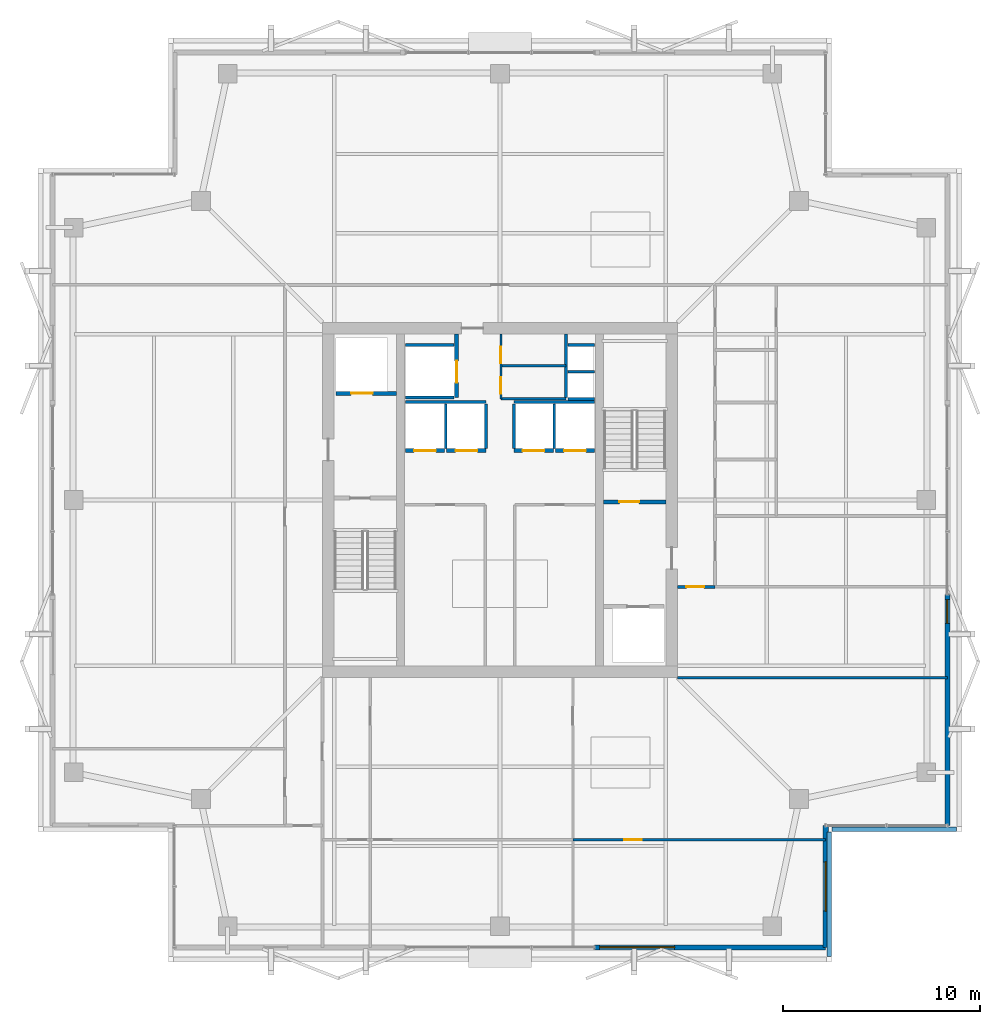
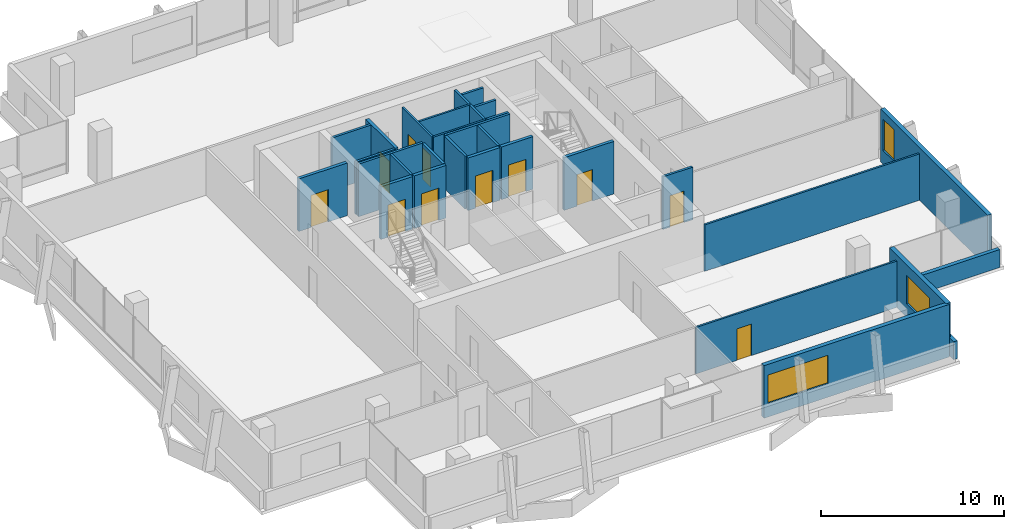
# One storey, part 22 of 26: 30 walls, 11 doors, 3 windows, 14 openings.
"""IFC4 building model written with IfcOpenShell, lengths in metres."""

from ifc_helpers import new_model, si_unit, direction, frame, frame_2d, origin, place, context, subcontext, project, spatial, rectangle, extrude, material, layer, layer_set, type_object, element, fill, save


model = new_model("IFC4")

# Units and contexts
model_context = context("Model", 3, precision=1e-05, world=origin(), true_north=direction((0.0, 1.0)))
body_context = subcontext(model_context, "Body", "Model", "MODEL_VIEW")
ifc_project = project(units=[si_unit("LENGTHUNIT", "METRE"), si_unit("AREAUNIT", "SQUARE_METRE"), si_unit("VOLUMEUNIT", "CUBIC_METRE"), si_unit("PLANEANGLEUNIT", "RADIAN"), si_unit("MASSUNIT", "GRAM", prefix="KILO")], contexts=[model_context])

# Site, building, storey
site_placement = place(None, origin())
site = spatial("IfcSite", under=ifc_project, at=site_placement, CompositionType="ELEMENT")
building_placement = place(site_placement, origin())
building = spatial("IfcBuilding", under=site, at=building_placement, Name="Belovzor Exchange Tower", CompositionType="ELEMENT")
storey_placement = place(building_placement, frame((0.0, 0.0, 295.5)))
storey = spatial("IfcBuildingStorey", under=building, at=storey_placement, Name="L73", CompositionType="ELEMENT", Elevation=295.5)

# Wall, opening, door
ifc_material_1 = material(Name="Acoustic Plasterboard on Galvanised Studs", Category="gypsum")
ifc_layer_1 = layer(ifc_material_1, 0.1201171875)
ifc_layer_set_1 = layer_set([ifc_layer_1], Name="Acoustic Plasterboard on Galvanised Studs")
wall_type_1 = type_object("IfcWallType", Name="Acoustic Double-Stud Partition Wall 120", PredefinedType="PARTITIONING", material=ifc_layer_set_1)
wall_1_placement = place(storey_placement, frame((32.498046875, 11.5791015625, 0.0), z_axis=(0.0, 0.0, 1.0), x_axis=(1.0, 0.0, 0.0)))
wall_1 = element("IfcWall", 1, at=wall_1_placement, inside=storey, type_object=wall_type_1, Name="W-P120 Partition Wall W-L73-SHDIV-2", PredefinedType="PARTITIONING", context=body_context, shape_type="SweptSolid", body=[
    extrude(rectangle(XDim=12.802001953125, YDim=0.1201171875, at=frame_2d((6.40087890625, 0.0))), origin(), (0.0, 0.0, 1.0), 3.094970703125),
])
opening_1_placement = place(wall_1_placement, frame((2.595947265625, 0.0, 0.0)))
opening_1 = element("IfcOpeningElement", 2, at=opening_1_placement, cuts=wall_1, Name="Opening D-INT-090", PredefinedType="OPENING", context=body_context, shape_type="SweptSolid", body=[
    extrude(rectangle(XDim=0.89990234375, YDim=2.10009765625, at=frame_2d((0.449951171875, 1.050048828125))), frame((0.0, 0.070068359375, 0.0), z_axis=(0.0, -1.0, 0.0), x_axis=(1.0, 0.0, 0.0)), (0.0, 0.0, 1.0), 0.14013671875),
])
ifc_material_2 = material(Name="Veneered Hardwood Acoustic Leaf", Category="wood")
door_type_1 = type_object("IfcDoorType", Name="Trading Suite Acoustic Single Door 900x2100", OperationType="NOTDEFINED", PredefinedType="DOOR", material=ifc_material_2)
door_1_placement = place(opening_1_placement, origin())
door_1 = element("IfcDoor", 3, at=door_1_placement, inside=storey, type_object=door_type_1, Name="D-INT-090 Trading Suite Acoustic Single Door 900x2100", OperationType="SINGLE_SWING_LEFT", OverallHeight=2.10009765625, OverallWidth=0.89990234375, PredefinedType="DOOR", context=body_context, shape_type="SweptSolid", body=[
    extrude(rectangle(XDim=0.89990234375, YDim=2.10009765625, at=frame_2d((0.449951171875, 1.050048828125))), frame((0.0, 0.02490234375, 0.0), z_axis=(0.0, -1.0, 0.0), x_axis=(1.0, 0.0, 0.0)), (0.0, 0.0, 1.0), 0.050048828125),
])
fill(opening_1, door_1)

# Wall
wall_2_placement = place(storey_placement, frame((37.800048828125, 19.800048828125, 0.0), z_axis=(0.0, 0.0, 1.0), x_axis=(1.0, 0.0, 0.0)))
element("IfcWall", 4, at=wall_2_placement, inside=storey, type_object=wall_type_1, Name="W-P120 Partition Wall W-L73-ESS", PredefinedType="PARTITIONING", context=body_context, shape_type="SweptSolid", body=[
    extrude(rectangle(XDim=13.669921875, YDim=0.1201171875, at=frame_2d((6.8349609375, 0.0))), origin(), (0.0, 0.0, 1.0), 3.094970703125),
])

# Wall, openings, doors
ifc_material_3 = material(Name="Fire-Rated Plasterboard on Galvanised Studs", Category="gypsum")
ifc_layer_2 = layer(ifc_material_3, 0.1201171875)
ifc_layer_set_2 = layer_set([ifc_layer_2], Name="Fire-Rated Plasterboard on Galvanised Studs")
wall_type_2 = type_object("IfcWallType", Name="Fire-Rated Double-Stud Partition Wall 120", PredefinedType="PARTITIONING", material=ifc_layer_set_2)
wall_3_placement = place(storey_placement, frame((28.85009765625, 33.925048828125, 0.0), z_axis=(0.0, 0.0, 1.0), x_axis=(0.0, 1.0, 0.0)))
wall_3 = element("IfcWall", 5, at=wall_3_placement, inside=storey, type_object=wall_type_2, Name="W-P120F Partition Wall W-CRV-L73-W", PredefinedType="PARTITIONING", context=body_context, shape_type="SweptSolid", body=[
    extrude(rectangle(XDim=3.27490234375, YDim=0.1201171875, at=frame_2d((1.637451171875, 0.0))), origin(), (0.0, 0.0, 1.0), 3.510009765625),
])
opening_2_placement = place(wall_3_placement, frame((0.25, 0.0, 0.0)))
opening_2 = element("IfcOpeningElement", 6, at=opening_2_placement, cuts=wall_3, Name="Opening D-FD60-085", PredefinedType="OPENING", context=body_context, shape_type="SweptSolid", body=[
    extrude(rectangle(XDim=0.85009765625, YDim=2.10009765625, at=frame_2d((0.425048828125, 1.050048828125))), frame((0.0, 0.070068359375, 0.0), z_axis=(0.0, -1.0, 0.0), x_axis=(1.0, 0.0, 0.0)), (0.0, 0.0, 1.0), 0.14013671875),
])
opening_3_placement = place(wall_3_placement, frame((1.794921875, 0.0, 0.0)))
opening_3 = element("IfcOpeningElement", 7, at=opening_3_placement, cuts=wall_3, Name="Opening D-FD60-085", PredefinedType="OPENING", context=body_context, shape_type="SweptSolid", body=[
    extrude(rectangle(XDim=0.85009765625, YDim=2.10009765625, at=frame_2d((0.425048828125, 1.050048828125))), frame((0.0, 0.070068359375, 0.0), z_axis=(0.0, -1.0, 0.0), x_axis=(1.0, 0.0, 0.0)), (0.0, 0.0, 1.0), 0.14013671875),
])
ifc_material_4 = material(Name="Fire-Rated Steel Access Leaf", Category="steel")
door_type_2 = type_object("IfcDoorType", Name="Riser & Meter Closet Access Fire Door 850x2100", OperationType="NOTDEFINED", PredefinedType="DOOR", material=ifc_material_4)
door_2_placement = place(opening_2_placement, origin())
door_2 = element("IfcDoor", 8, at=door_2_placement, inside=storey, type_object=door_type_2, Name="D-FD60-085 Riser & Meter Closet Access Fire Door 850x2100", OperationType="SINGLE_SWING_LEFT", OverallHeight=2.10009765625, OverallWidth=0.85009765625, PredefinedType="DOOR", context=body_context, shape_type="SweptSolid", body=[
    extrude(rectangle(XDim=0.85009765625, YDim=2.10009765625, at=frame_2d((0.425048828125, 1.050048828125))), frame((0.0, 0.02490234375, 0.0), z_axis=(0.0, -1.0, 0.0), x_axis=(1.0, 0.0, 0.0)), (0.0, 0.0, 1.0), 0.050048828125),
])
fill(opening_2, door_2)
door_3_placement = place(opening_3_placement, origin())
door_3 = element("IfcDoor", 9, at=door_3_placement, inside=storey, type_object=door_type_2, Name="D-FD60-085 Riser & Meter Closet Access Fire Door 850x2100", OperationType="SINGLE_SWING_RIGHT", OverallHeight=2.10009765625, OverallWidth=0.85009765625, PredefinedType="DOOR", context=body_context, shape_type="SweptSolid", body=[
    extrude(rectangle(XDim=0.85009765625, YDim=2.10009765625, at=frame_2d((0.425048828125, 1.050048828125))), frame((0.0, 0.02490234375, 0.0), z_axis=(0.0, -1.0, 0.0), x_axis=(1.0, 0.0, 0.0)), (0.0, 0.0, 1.0), 0.050048828125),
])
fill(opening_3, door_3)

# Walls
for number, where, z_axis, x_axis, name in (
    (10, (28.85009765625, 35.60009765625, 0.0), (0.0, 0.0, 1.0), (1.0, 0.0, 0.0), "W-P120F Partition Wall W-CRV-L73-M"),
    (11, (28.85009765625, 33.925048828125, 0.0), (0.0, 0.0, 1.0), (1.0, 0.0, 0.0), "W-P120F Partition Wall W-CRV-L73-S"),
):
    element("IfcWall", number, at=place(storey_placement, frame(where, z_axis=z_axis, x_axis=x_axis)), inside=storey, type_object=wall_type_2, Name=name, PredefinedType="PARTITIONING", context=body_context, shape_type="SweptSolid", body=[
        extrude(rectangle(XDim=3.2998046875, YDim=0.1201171875, at=frame_2d((1.64990234375, 0.0))), origin(), (0.0, 0.0, 1.0), 3.510009765625),
    ])

# Wall, opening, door
ifc_material_5 = material(Name="Fire-Rated Gypsum Block and Mineral Wool", Category="gypsum")
ifc_layer_3 = layer(ifc_material_5, 0.14990234375)
ifc_layer_set_3 = layer_set([ifc_layer_3], Name="Fire-Rated Gypsum Block and Mineral Wool")
wall_type_3 = type_object("IfcWallType", Name="Fire-Rated Gypsum Block Corridor Wall 150", PredefinedType="PARTITIONING", material=ifc_layer_set_3)
wall_4_placement = place(storey_placement, frame((37.800048828125, 24.39990234375, 0.0), z_axis=(0.0, 0.0, 1.0), x_axis=(1.0, 0.0, 0.0)))
wall_4 = element("IfcWall", 12, at=wall_4_placement, inside=storey, type_object=wall_type_3, Name="W-P150 Partition Wall W-L73-CE-END", PredefinedType="PARTITIONING", context=body_context, shape_type="SweptSolid", body=[
    extrude(rectangle(XDim=1.89990234375, YDim=0.14990234375, at=frame_2d((0.949951171875, 0.0))), origin(), (0.0, 0.0, 1.0), 3.510009765625),
])
opening_4_placement = place(wall_4_placement, frame((0.449951171875, 0.0, 0.0)))
opening_4 = element("IfcOpeningElement", 13, at=opening_4_placement, cuts=wall_4, Name="Opening D-FD60-090", PredefinedType="OPENING", context=body_context, shape_type="SweptSolid", body=[
    extrude(rectangle(XDim=0.89990234375, YDim=2.10009765625, at=frame_2d((0.449951171875, 1.050048828125))), frame((0.0, 0.0849609375, 0.0), z_axis=(0.0, -1.0, 0.0), x_axis=(1.0, 0.0, 0.0)), (0.0, 0.0, 1.0), 0.169921875),
])
ifc_material_6 = material(Name="Acoustic Timber Fire Leaf", Category="wood")
door_type_3 = type_object("IfcDoorType", Name="Core Service & Restroom Fire Door 900x2100", OperationType="NOTDEFINED", PredefinedType="DOOR", material=ifc_material_6)
door_4_placement = place(opening_4_placement, origin())
door_4 = element("IfcDoor", 14, at=door_4_placement, inside=storey, type_object=door_type_3, Name="D-FD60-090 Core Service & Restroom Fire Door 900x2100", OperationType="SINGLE_SWING_LEFT", OverallHeight=2.10009765625, OverallWidth=0.89990234375, PredefinedType="DOOR", context=body_context, shape_type="SweptSolid", body=[
    extrude(rectangle(XDim=0.89990234375, YDim=2.10009765625, at=frame_2d((0.449951171875, 1.050048828125))), frame((0.0, 0.02490234375, 0.0), z_axis=(0.0, -1.0, 0.0), x_axis=(1.0, 0.0, 0.0)), (0.0, 0.0, 1.0), 0.050048828125),
])
fill(opening_4, door_4)

# Wall, opening, window
ifc_material_7 = material(Name="Precast concrete C40/50", Category="concrete")
ifc_layer_4 = layer(ifc_material_7, 0.280029296875)
ifc_layer_set_4 = layer_set([ifc_layer_4], Name="Precast concrete C40/50")
wall_type_4 = type_object("IfcWallType", Name="Precast Concrete Notched Corner Frame Wall 280", PredefinedType="SOLIDWALL", material=ifc_layer_set_4)
wall_5_placement = place(storey_placement, frame((45.300048828125, 12.300048828125, 0.0), z_axis=(0.0, 0.0, 1.0), x_axis=(0.0, -1.0, 0.0)))
wall_5 = element("IfcWall", 15, at=wall_5_placement, inside=storey, type_object=wall_type_4, Name="W-CRN280 Precast Concrete Notched Corner Frame Wall 280 L73", PredefinedType="SOLIDWALL", context=body_context, shape_type="SweptSolid", body=[
    extrude(rectangle(XDim=6.170166015625, YDim=0.280029296875, at=frame_2d((3.0849609375, 0.0))), origin(), (0.0, 0.0, 1.0), 3.510009765625),
])
opening_5_placement = place(wall_5_placement, frame((1.8349609375, 0.0, 0.89990234375)))
opening_5 = element("IfcOpeningElement", 16, at=opening_5_placement, cuts=wall_5, Name="Opening WN-CRN250", PredefinedType="OPENING", context=body_context, shape_type="SweptSolid", body=[
    extrude(rectangle(XDim=2.5, YDim=1.89990234375, at=frame_2d((1.25, 0.949951171875))), frame((0.0, 0.14990234375, 0.0), z_axis=(0.0, -1.0, 0.0), x_axis=(1.0, 0.0, 0.0)), (0.0, 0.0, 1.0), 0.300048828125),
])
ifc_material_8 = material(Name="Thermally Broken Aluminium and Triple Glazing", Category="aluminium")
window_type_1 = type_object("IfcWindowType", Name="Streamline Moderne Corner Wrap Ribbon Window 2500x1900", PartitioningType="SINGLE_PANEL", PredefinedType="WINDOW", material=ifc_material_8)
window_1_placement = place(opening_5_placement, origin())
window_1 = element("IfcWindow", 17, at=window_1_placement, inside=storey, type_object=window_type_1, Name="WN-CRN250 Streamline Moderne Corner Wrap Ribbon Window 2500x1900", OverallHeight=1.89990234375, OverallWidth=2.5, PartitioningType="SINGLE_PANEL", PredefinedType="WINDOW", context=body_context, shape_type="SweptSolid", body=[
    extrude(rectangle(XDim=2.5, YDim=1.89990234375, at=frame_2d((1.25, 0.949951171875))), frame((0.0, 0.030029296875, 0.0), z_axis=(0.0, -1.0, 0.0), x_axis=(1.0, 0.0, 0.0)), (0.0, 0.0, 1.0), 0.06005859375),
])
fill(opening_5, window_1)

ifc_material_9 = material(Name="Precast concrete C40/50", Category="concrete")
ifc_layer_5 = layer(ifc_material_9, 0.260009765625)
ifc_layer_set_5 = layer_set([ifc_layer_5], Name="Precast concrete C40/50")
wall_type_5 = type_object("IfcWallType", Name="Precast Concrete Perimeter Loggia Frame Wall 260", PredefinedType="SOLIDWALL", material=ifc_layer_set_5)
wall_6_placement = place(storey_placement, frame((45.300048828125, 6.1298828125, 0.0), z_axis=(0.0, 0.0, 1.0), x_axis=(-1.0, 0.0, 0.0)))
wall_6 = element("IfcWall", 18, at=wall_6_placement, inside=storey, type_object=wall_type_5, Name="W-EXT260 Precast Concrete Perimeter Loggia Frame Wall 260 L73", PredefinedType="SOLIDWALL", context=body_context, shape_type="SweptSolid", body=[
    extrude(rectangle(XDim=11.699951171875, YDim=0.260009765625, at=frame_2d((5.85009765625, 0.0))), origin(), (0.0, 0.0, 1.0), 3.510009765625),
])
opening_6_placement = place(wall_6_placement, frame((7.64990234375, 0.0, 0.89990234375)))
opening_6 = element("IfcOpeningElement", 19, at=opening_6_placement, cuts=wall_6, Name="Opening WN-RIB380", PredefinedType="OPENING", context=body_context, shape_type="SweptSolid", body=[
    extrude(rectangle(XDim=3.800048828125, YDim=1.89990234375, at=frame_2d((1.89990234375, 0.949951171875))), frame((0.0, 0.139892578125, 0.0), z_axis=(0.0, -1.0, 0.0), x_axis=(1.0, 0.0, 0.0)), (0.0, 0.0, 1.0), 0.280029296875),
])
ifc_material_10 = material(Name="Thermally Broken Aluminium and Triple Glazing", Category="aluminium")
window_type_2 = type_object("IfcWindowType", Name="Streamline Moderne Horizontal Ribbon Window 3800x1900", PartitioningType="SINGLE_PANEL", PredefinedType="WINDOW", material=ifc_material_10)
window_2_placement = place(opening_6_placement, origin())
window_2 = element("IfcWindow", 20, at=window_2_placement, inside=storey, type_object=window_type_2, Name="WN-RIB380 Streamline Moderne Horizontal Ribbon Window 3800x1900", OverallHeight=1.89990234375, OverallWidth=3.800048828125, PartitioningType="SINGLE_PANEL", PredefinedType="WINDOW", context=body_context, shape_type="SweptSolid", body=[
    extrude(rectangle(XDim=3.800048828125, YDim=1.89990234375, at=frame_2d((1.89990234375, 0.949951171875))), frame((0.0, 0.030029296875, 0.0), z_axis=(0.0, -1.0, 0.0), x_axis=(1.0, 0.0, 0.0)), (0.0, 0.0, 1.0), 0.06005859375),
])
fill(opening_6, window_2)

wall_7_placement = place(storey_placement, frame((51.469970703125, 24.0, 0.0), z_axis=(0.0, 0.0, 1.0), x_axis=(0.0, -1.0, 0.0)))
wall_7 = element("IfcWall", 21, at=wall_7_placement, inside=storey, type_object=wall_type_5, Name="W-EXT260 Precast Concrete Perimeter Loggia Frame Wall 260 L73", PredefinedType="SOLIDWALL", context=body_context, shape_type="SweptSolid", body=[
    extrude(rectangle(XDim=11.699951171875, YDim=0.260009765625, at=frame_2d((5.85009765625, 0.0))), origin(), (0.0, 0.0, 1.0), 3.510009765625),
])
opening_7_placement = place(wall_7_placement, frame((0.25, 0.0, 0.89990234375)))
opening_7 = element("IfcOpeningElement", 22, at=opening_7_placement, cuts=wall_7, Name="Opening WN-CRN120", PredefinedType="OPENING", context=body_context, shape_type="SweptSolid", body=[
    extrude(rectangle(XDim=1.199951171875, YDim=2.10009765625, at=frame_2d((0.60009765625, 1.050048828125))), frame((0.0, 0.139892578125, 0.0), z_axis=(0.0, -1.0, 0.0), x_axis=(1.0, 0.0, 0.0)), (0.0, 0.0, 1.0), 0.280029296875),
])
ifc_material_11 = material(Name="Thermally Broken Aluminium and Triple Glazing", Category="aluminium")
window_type_3 = type_object("IfcWindowType", Name="Streamline Notched Corner Window 1200x2100", PartitioningType="SINGLE_PANEL", PredefinedType="WINDOW", material=ifc_material_11)
window_3_placement = place(opening_7_placement, origin())
window_3 = element("IfcWindow", 23, at=window_3_placement, inside=storey, type_object=window_type_3, Name="WN-CRN120 Streamline Notched Corner Window 1200x2100", OverallHeight=2.10009765625, OverallWidth=1.199951171875, PartitioningType="SINGLE_PANEL", PredefinedType="WINDOW", context=body_context, shape_type="SweptSolid", body=[
    extrude(rectangle(XDim=1.199951171875, YDim=2.10009765625, at=frame_2d((0.60009765625, 1.050048828125))), frame((0.0, 0.030029296875, 0.0), z_axis=(0.0, -1.0, 0.0), x_axis=(1.0, 0.0, 0.0)), (0.0, 0.0, 1.0), 0.06005859375),
])
fill(opening_7, window_3)

# Walls
ifc_material_12 = material(Name="Precast concrete C40/50", Category="concrete")
ifc_layer_6 = layer(ifc_material_12, 0.239990234375)
ifc_layer_set_6 = layer_set([ifc_layer_6], Name="Precast concrete C40/50")
wall_type_6 = type_object("IfcWallType", Name="Precast Stone Setback Roof Parapet Wall 240", PredefinedType="PARAPET", material=ifc_layer_set_6)
for number, where, z_axis, x_axis, name in (
    (24, (45.47998046875, 5.655029296875, 0.0), (0.0, 0.0, 1.0), (0.0, 1.0, 0.0), "W-PAR240 Precast Stone Setback Roof Parapet Wall 240 L73"),
    (25, (45.614990234375, 12.1201171875, 0.0), (0.0, 0.0, 1.0), (1.0, 0.0, 0.0), "W-PAR240 Precast Stone Setback Roof Parapet Wall 240 L73"),
):
    element("IfcWall", number, at=place(storey_placement, frame(where, z_axis=z_axis, x_axis=x_axis)), inside=storey, type_object=wall_type_6, Name=name, PredefinedType="PARAPET", context=body_context, shape_type="SweptSolid", body=[
        extrude(rectangle(XDim=6.330078125, YDim=0.239990234375, at=frame_2d((3.1650390625, 0.0))), origin(), (0.0, 0.0, 1.0), 1.199951171875),
    ])
ifc_material_13 = material(Name="Concrete C50/60", Category="concrete")
ifc_layer_7 = layer(ifc_material_13, 0.14990234375)
ifc_layer_set_7 = layer_set([ifc_layer_7], Name="Concrete C50/60")
wall_type_7 = type_object("IfcWallType", Name="Reinforced Concrete Core Riser Shear Wall 150", PredefinedType="SHEAR", material=ifc_layer_set_7)
wall_8_placement = place(storey_placement, frame((32.14990234375, 34.0, 0.0), z_axis=(0.0, 0.0, 1.0), x_axis=(0.0, 1.0, 0.0)))
element("IfcWall", 26, at=wall_8_placement, inside=storey, type_object=wall_type_7, Name="W-C150S Core Shaft Wall W-RSR-L73-E", PredefinedType="SHEAR", context=body_context, shape_type="SweptSolid", body=[
    extrude(rectangle(XDim=3.199951171875, YDim=0.14990234375, at=frame_2d((1.60009765625, 0.0))), origin(), (0.0, 0.0, 1.0), 3.510009765625),
])
for number, where, z_axis, x_axis, name in (
    (27, (32.25, 33.925048828125, 0.0), (0.0, 0.0, 1.0), (1.0, 0.0, 0.0), "W-C150S Core Shaft Wall W-RSR-L73-S"),
    (28, (32.25, 35.300048828125, 0.0), (0.0, 0.0, 1.0), (1.0, 0.0, 0.0), "W-C150S Core Shaft Wall W-RSR-L73-M"),
):
    element("IfcWall", number, at=place(storey_placement, frame(where, z_axis=z_axis, x_axis=x_axis)), inside=storey, type_object=wall_type_7, Name=name, PredefinedType="SHEAR", context=body_context, shape_type="SweptSolid", body=[
        extrude(rectangle(XDim=1.330078125, YDim=0.14990234375, at=frame_2d((0.6650390625, 0.0))), origin(), (0.0, 0.0, 1.0), 3.510009765625),
    ])
for number, where, z_axis, x_axis, name in (
    (29, (24.0, 34.0, 0.0), (0.0, 0.0, 1.0), (1.0, 0.0, 0.0), "W-C150S Core Shaft Wall W-SH-L73-SL-01S"),
    (30, (24.0, 36.64990234375, 0.0), (0.0, 0.0, 1.0), (1.0, 0.0, 0.0), "W-C150S Core Shaft Wall W-SH-L73-SL-01N"),
):
    element("IfcWall", number, at=place(storey_placement, frame(where, z_axis=z_axis, x_axis=x_axis)), inside=storey, type_object=wall_type_7, Name=name, PredefinedType="SHEAR", context=body_context, shape_type="SweptSolid", body=[
        extrude(rectangle(XDim=2.47998046875, YDim=0.14990234375, at=frame_2d((1.239990234375, 0.0))), origin(), (0.0, 0.0, 1.0), 3.510009765625),
    ])
wall_9_placement = place(storey_placement, frame((32.25, 36.64990234375, 0.0), z_axis=(0.0, 0.0, 1.0), x_axis=(1.0, 0.0, 0.0)))
element("IfcWall", 31, at=wall_9_placement, inside=storey, type_object=wall_type_7, Name="W-C150S Core Shaft Wall W-RSR-L73-N", PredefinedType="SHEAR", context=body_context, shape_type="SweptSolid", body=[
    extrude(rectangle(XDim=1.330078125, YDim=0.14990234375, at=frame_2d((0.6650390625, 0.0))), origin(), (0.0, 0.0, 1.0), 3.510009765625),
])
for number, where, z_axis, x_axis, name in (
    (32, (24.02001953125, 33.760009765625, 0.0), (0.0, 0.0, 1.0), (1.0, 0.0, 0.0), "W-C150S Core Shaft Wall W-SHB-L73-PLH-NW"),
    (33, (29.5, 33.760009765625, 0.0), (0.0, 0.0, 1.0), (1.0, 0.0, 0.0), "W-C150S Core Shaft Wall W-SHB-L73-PLH-NE"),
):
    element("IfcWall", number, at=place(storey_placement, frame(where, z_axis=z_axis, x_axis=x_axis)), inside=storey, type_object=wall_type_7, Name=name, PredefinedType="SHEAR", context=body_context, shape_type="SweptSolid", body=[
        extrude(rectangle(XDim=4.080078125, YDim=0.14990234375, at=frame_2d((2.0400390625, 0.0))), origin(), (0.0, 0.0, 1.0), 3.510009765625),
    ])
for number, where, z_axis, x_axis, name in (
    (34, (26.050048828125, 31.419921875, 0.0), (0.0, 0.0, 1.0), (0.0, 1.0, 0.0), "W-C150S Core Shaft Wall W-SHD-L73-PLH-1"),
    (35, (28.10009765625, 31.419921875, 0.0), (0.0, 0.0, 1.0), (0.0, 1.0, 0.0), "W-C150S Core Shaft Wall W-SHD-L73-PLH-2"),
    (36, (29.5, 31.419921875, 0.0), (0.0, 0.0, 1.0), (0.0, 1.0, 0.0), "W-C150S Core Shaft Wall W-SHD-L73-PLH-3"),
    (37, (31.550048828125, 31.419921875, 0.0), (0.0, 0.0, 1.0), (0.0, 1.0, 0.0), "W-C150S Core Shaft Wall W-SHD-L73-PLH-4"),
):
    element("IfcWall", number, at=place(storey_placement, frame(where, z_axis=z_axis, x_axis=x_axis)), inside=storey, type_object=wall_type_7, Name=name, PredefinedType="SHEAR", context=body_context, shape_type="SweptSolid", body=[
        extrude(rectangle(XDim=2.239990234375, YDim=0.14990234375, at=frame_2d((1.1201171875, 0.0))), origin(), (0.0, 0.0, 1.0), 3.510009765625),
    ])

# Wall, opening, door
ifc_material_14 = material(Name="Concrete C50/60", Category="concrete")
ifc_layer_8 = layer(ifc_material_14, 0.199951171875)
ifc_layer_set_8 = layer_set([ifc_layer_8], Name="Concrete C50/60")
wall_type_8 = type_object("IfcWallType", Name="Reinforced Concrete Core Shaft Shear Wall 200", PredefinedType="SHEAR", material=ifc_layer_set_8)
wall_10_placement = place(storey_placement, frame((34.050048828125, 28.699951171875, 0.0), z_axis=(0.0, 0.0, 1.0), x_axis=(1.0, 0.0, 0.0)))
wall_10 = element("IfcWall", 38, at=wall_10_placement, inside=storey, type_object=wall_type_8, Name="W-C200S Core Shaft Wall W-CORE-L73-FFLE2", PredefinedType="SHEAR", context=body_context, shape_type="SweptSolid", body=[
    extrude(rectangle(XDim=3.14990234375, YDim=0.199951171875, at=frame_2d((1.574951171875, 0.0))), origin(), (0.0, 0.0, 1.0), 3.510009765625),
])
opening_8_placement = place(wall_10_placement, frame((0.800048828125, 0.0, 0.0)))
opening_8 = element("IfcOpeningElement", 39, at=opening_8_placement, cuts=wall_10, Name="Opening D-FD90-100", PredefinedType="OPENING", context=body_context, shape_type="SweptSolid", body=[
    extrude(rectangle(XDim=1.0, YDim=2.10009765625, at=frame_2d((0.5, 1.050048828125))), frame((0.0, 0.10986328125, 0.0), z_axis=(0.0, -1.0, 0.0), x_axis=(1.0, 0.0, 0.0)), (0.0, 0.0, 1.0), 0.219970703125),
])
ifc_material_15 = material(Name="Fire-Rated Galvanised Steel Leaf", Category="steel")
door_type_4 = type_object("IfcDoorType", Name="Protected Stairwell Single Fire Door 1000x2100", OperationType="NOTDEFINED", PredefinedType="DOOR", material=ifc_material_15)
door_5_placement = place(opening_8_placement, origin())
door_5 = element("IfcDoor", 40, at=door_5_placement, inside=storey, type_object=door_type_4, Name="D-FD90-100 Protected Stairwell Single Fire Door 1000x2100", OperationType="SINGLE_SWING_LEFT", OverallHeight=2.10009765625, OverallWidth=1.0, PredefinedType="DOOR", context=body_context, shape_type="SweptSolid", body=[
    extrude(rectangle(XDim=1.0, YDim=2.10009765625, at=frame_2d((0.5, 1.050048828125))), frame((0.0, 0.02490234375, 0.0), z_axis=(0.0, -1.0, 0.0), x_axis=(1.0, 0.0, 0.0)), (0.0, 0.0, 1.0), 0.050048828125),
])
fill(opening_8, door_5)

wall_11_placement = place(storey_placement, frame((20.5, 34.199951171875, 0.0), z_axis=(0.0, 0.0, 1.0), x_axis=(1.0, 0.0, 0.0)))
wall_11 = element("IfcWall", 41, at=wall_11_placement, inside=storey, type_object=wall_type_8, Name="W-C200S Core Shaft Wall W-SH-L73-FFL-01", PredefinedType="SHEAR", context=body_context, shape_type="SweptSolid", body=[
    extrude(rectangle(XDim=3.050048828125, YDim=0.199951171875, at=frame_2d((1.52490234375, 0.0))), origin(), (0.0, 0.0, 1.0), 3.510009765625),
])
opening_9_placement = place(wall_11_placement, frame((0.75, 0.0, 0.0)))
opening_9 = element("IfcOpeningElement", 42, at=opening_9_placement, cuts=wall_11, Name="Opening LD-110", PredefinedType="OPENING", context=body_context, shape_type="SweptSolid", body=[
    extrude(rectangle(XDim=1.10009765625, YDim=2.14990234375, at=frame_2d((0.550048828125, 1.074951171875))), frame((0.0, 0.10986328125, 0.0), z_axis=(0.0, -1.0, 0.0), x_axis=(1.0, 0.0, 0.0)), (0.0, 0.0, 1.0), 0.219970703125),
])
ifc_material_16 = material(Name="Stainless Steel Grade 304", Category="steel")
door_type_5 = type_object("IfcDoorType", Name="Automated Stainless Steel Lift Landing Door 1100x2150", OperationType="SLIDING_TO_RIGHT", PredefinedType="DOOR", material=ifc_material_16)
door_6_placement = place(opening_9_placement, origin())
door_6 = element("IfcDoor", 43, at=door_6_placement, inside=storey, type_object=door_type_5, Name="LD-110 Automated Stainless Steel Lift Landing Door 1100x2150", OperationType="SLIDING_TO_RIGHT", OverallHeight=2.14990234375, OverallWidth=1.10009765625, PredefinedType="DOOR", context=body_context, shape_type="SweptSolid", body=[
    extrude(rectangle(XDim=1.10009765625, YDim=2.14990234375, at=frame_2d((0.550048828125, 1.074951171875))), frame((0.0, 0.02490234375, 0.0), z_axis=(0.0, -1.0, 0.0), x_axis=(1.0, 0.0, 0.0)), (0.0, 0.0, 1.0), 0.050048828125),
])
fill(opening_9, door_6)

wall_12_placement = place(storey_placement, frame((26.60009765625, 34.0, 0.0), z_axis=(0.0, 0.0, 1.0), x_axis=(0.0, 1.0, 0.0)))
wall_12 = element("IfcWall", 44, at=wall_12_placement, inside=storey, type_object=wall_type_8, Name="W-C200S Core Shaft Wall W-SH-L73-SL-01", PredefinedType="SHEAR", context=body_context, shape_type="SweptSolid", body=[
    extrude(rectangle(XDim=3.199951171875, YDim=0.199951171875, at=frame_2d((1.60009765625, 0.0))), origin(), (0.0, 0.0, 1.0), 3.510009765625),
])
opening_10_placement = place(wall_12_placement, frame((0.75, 0.0, 0.0)))
opening_10 = element("IfcOpeningElement", 45, at=opening_10_placement, cuts=wall_12, Name="Opening LD-110", PredefinedType="OPENING", context=body_context, shape_type="SweptSolid", body=[
    extrude(rectangle(XDim=1.10009765625, YDim=2.14990234375, at=frame_2d((0.550048828125, 1.074951171875))), frame((0.0, 0.10986328125, 0.0), z_axis=(0.0, -1.0, 0.0), x_axis=(1.0, 0.0, 0.0)), (0.0, 0.0, 1.0), 0.219970703125),
])
door_7_placement = place(opening_10_placement, origin())
door_7 = element("IfcDoor", 46, at=door_7_placement, inside=storey, type_object=door_type_5, Name="LD-110 Automated Stainless Steel Lift Landing Door 1100x2150", OperationType="SLIDING_TO_RIGHT", OverallHeight=2.14990234375, OverallWidth=1.10009765625, PredefinedType="DOOR", context=body_context, shape_type="SweptSolid", body=[
    extrude(rectangle(XDim=1.10009765625, YDim=2.14990234375, at=frame_2d((0.550048828125, 1.074951171875))), frame((0.0, 0.02490234375, 0.0), z_axis=(0.0, -1.0, 0.0), x_axis=(1.0, 0.0, 0.0)), (0.0, 0.0, 1.0), 0.050048828125),
])
fill(opening_10, door_7)

wall_13_placement = place(storey_placement, frame((24.0, 31.300048828125, 0.0), z_axis=(0.0, 0.0, 1.0), x_axis=(1.0, 0.0, 0.0)))
wall_13 = element("IfcWall", 47, at=wall_13_placement, inside=storey, type_object=wall_type_8, Name="W-C200S Core Shaft Wall W-SH-L73-PL-H1", PredefinedType="SHEAR", context=body_context, shape_type="SweptSolid", body=[
    extrude(rectangle(XDim=2.0, YDim=0.199951171875, at=frame_2d((1.0, 0.0))), origin(), (0.0, 0.0, 1.0), 3.510009765625),
])
opening_11_placement = place(wall_13_placement, frame((0.449951171875, 0.0, 0.0)))
opening_11 = element("IfcOpeningElement", 48, at=opening_11_placement, cuts=wall_13, Name="Opening LD-110", PredefinedType="OPENING", context=body_context, shape_type="SweptSolid", body=[
    extrude(rectangle(XDim=1.10009765625, YDim=2.14990234375, at=frame_2d((0.550048828125, 1.074951171875))), frame((0.0, 0.10986328125, 0.0), z_axis=(0.0, -1.0, 0.0), x_axis=(1.0, 0.0, 0.0)), (0.0, 0.0, 1.0), 0.219970703125),
])
door_8_placement = place(opening_11_placement, origin())
door_8 = element("IfcDoor", 49, at=door_8_placement, inside=storey, type_object=door_type_5, Name="LD-110 Automated Stainless Steel Lift Landing Door 1100x2150", OperationType="SLIDING_TO_RIGHT", OverallHeight=2.14990234375, OverallWidth=1.10009765625, PredefinedType="DOOR", context=body_context, shape_type="SweptSolid", body=[
    extrude(rectangle(XDim=1.10009765625, YDim=2.14990234375, at=frame_2d((0.550048828125, 1.074951171875))), frame((0.0, 0.02490234375, 0.0), z_axis=(0.0, -1.0, 0.0), x_axis=(1.0, 0.0, 0.0)), (0.0, 0.0, 1.0), 0.050048828125),
])
fill(opening_11, door_8)

wall_14_placement = place(storey_placement, frame((26.10009765625, 31.300048828125, 0.0), z_axis=(0.0, 0.0, 1.0), x_axis=(1.0, 0.0, 0.0)))
wall_14 = element("IfcWall", 50, at=wall_14_placement, inside=storey, type_object=wall_type_8, Name="W-C200S Core Shaft Wall W-SH-L73-PL-H2", PredefinedType="SHEAR", context=body_context, shape_type="SweptSolid", body=[
    extrude(rectangle(XDim=2.0, YDim=0.199951171875, at=frame_2d((1.0, 0.0))), origin(), (0.0, 0.0, 1.0), 3.510009765625),
])
opening_12_placement = place(wall_14_placement, frame((0.449951171875, 0.0, 0.0)))
opening_12 = element("IfcOpeningElement", 51, at=opening_12_placement, cuts=wall_14, Name="Opening LD-110", PredefinedType="OPENING", context=body_context, shape_type="SweptSolid", body=[
    extrude(rectangle(XDim=1.10009765625, YDim=2.14990234375, at=frame_2d((0.550048828125, 1.074951171875))), frame((0.0, 0.10986328125, 0.0), z_axis=(0.0, -1.0, 0.0), x_axis=(1.0, 0.0, 0.0)), (0.0, 0.0, 1.0), 0.219970703125),
])
door_9_placement = place(opening_12_placement, origin())
door_9 = element("IfcDoor", 52, at=door_9_placement, inside=storey, type_object=door_type_5, Name="LD-110 Automated Stainless Steel Lift Landing Door 1100x2150", OperationType="SLIDING_TO_RIGHT", OverallHeight=2.14990234375, OverallWidth=1.10009765625, PredefinedType="DOOR", context=body_context, shape_type="SweptSolid", body=[
    extrude(rectangle(XDim=1.10009765625, YDim=2.14990234375, at=frame_2d((0.550048828125, 1.074951171875))), frame((0.0, 0.02490234375, 0.0), z_axis=(0.0, -1.0, 0.0), x_axis=(1.0, 0.0, 0.0)), (0.0, 0.0, 1.0), 0.050048828125),
])
fill(opening_12, door_9)

wall_15_placement = place(storey_placement, frame((29.5, 31.300048828125, 0.0), z_axis=(0.0, 0.0, 1.0), x_axis=(1.0, 0.0, 0.0)))
wall_15 = element("IfcWall", 53, at=wall_15_placement, inside=storey, type_object=wall_type_8, Name="W-C200S Core Shaft Wall W-SH-L73-PL-H3", PredefinedType="SHEAR", context=body_context, shape_type="SweptSolid", body=[
    extrude(rectangle(XDim=2.0, YDim=0.199951171875, at=frame_2d((1.0, 0.0))), origin(), (0.0, 0.0, 1.0), 3.510009765625),
])
opening_13_placement = place(wall_15_placement, frame((0.449951171875, 0.0, 0.0)))
opening_13 = element("IfcOpeningElement", 54, at=opening_13_placement, cuts=wall_15, Name="Opening LD-110", PredefinedType="OPENING", context=body_context, shape_type="SweptSolid", body=[
    extrude(rectangle(XDim=1.10009765625, YDim=2.14990234375, at=frame_2d((0.550048828125, 1.074951171875))), frame((0.0, 0.10986328125, 0.0), z_axis=(0.0, -1.0, 0.0), x_axis=(1.0, 0.0, 0.0)), (0.0, 0.0, 1.0), 0.219970703125),
])
door_10_placement = place(opening_13_placement, origin())
door_10 = element("IfcDoor", 55, at=door_10_placement, inside=storey, type_object=door_type_5, Name="LD-110 Automated Stainless Steel Lift Landing Door 1100x2150", OperationType="SLIDING_TO_RIGHT", OverallHeight=2.14990234375, OverallWidth=1.10009765625, PredefinedType="DOOR", context=body_context, shape_type="SweptSolid", body=[
    extrude(rectangle(XDim=1.10009765625, YDim=2.14990234375, at=frame_2d((0.550048828125, 1.074951171875))), frame((0.0, 0.02490234375, 0.0), z_axis=(0.0, -1.0, 0.0), x_axis=(1.0, 0.0, 0.0)), (0.0, 0.0, 1.0), 0.050048828125),
])
fill(opening_13, door_10)

wall_16_placement = place(storey_placement, frame((31.60009765625, 31.300048828125, 0.0), z_axis=(0.0, 0.0, 1.0), x_axis=(1.0, 0.0, 0.0)))
wall_16 = element("IfcWall", 56, at=wall_16_placement, inside=storey, type_object=wall_type_8, Name="W-C200S Core Shaft Wall W-SH-L73-PL-H4", PredefinedType="SHEAR", context=body_context, shape_type="SweptSolid", body=[
    extrude(rectangle(XDim=2.0, YDim=0.199951171875, at=frame_2d((1.0, 0.0))), origin(), (0.0, 0.0, 1.0), 3.510009765625),
])
opening_14_placement = place(wall_16_placement, frame((0.449951171875, 0.0, 0.0)))
opening_14 = element("IfcOpeningElement", 57, at=opening_14_placement, cuts=wall_16, Name="Opening LD-110", PredefinedType="OPENING", context=body_context, shape_type="SweptSolid", body=[
    extrude(rectangle(XDim=1.10009765625, YDim=2.14990234375, at=frame_2d((0.550048828125, 1.074951171875))), frame((0.0, 0.10986328125, 0.0), z_axis=(0.0, -1.0, 0.0), x_axis=(1.0, 0.0, 0.0)), (0.0, 0.0, 1.0), 0.219970703125),
])
door_11_placement = place(opening_14_placement, origin())
door_11 = element("IfcDoor", 58, at=door_11_placement, inside=storey, type_object=door_type_5, Name="LD-110 Automated Stainless Steel Lift Landing Door 1100x2150", OperationType="SLIDING_TO_RIGHT", OverallHeight=2.14990234375, OverallWidth=1.10009765625, PredefinedType="DOOR", context=body_context, shape_type="SweptSolid", body=[
    extrude(rectangle(XDim=1.10009765625, YDim=2.14990234375, at=frame_2d((0.550048828125, 1.074951171875))), frame((0.0, 0.02490234375, 0.0), z_axis=(0.0, -1.0, 0.0), x_axis=(1.0, 0.0, 0.0)), (0.0, 0.0, 1.0), 0.050048828125),
])
fill(opening_14, door_11)

save(model, "model.ifc")
